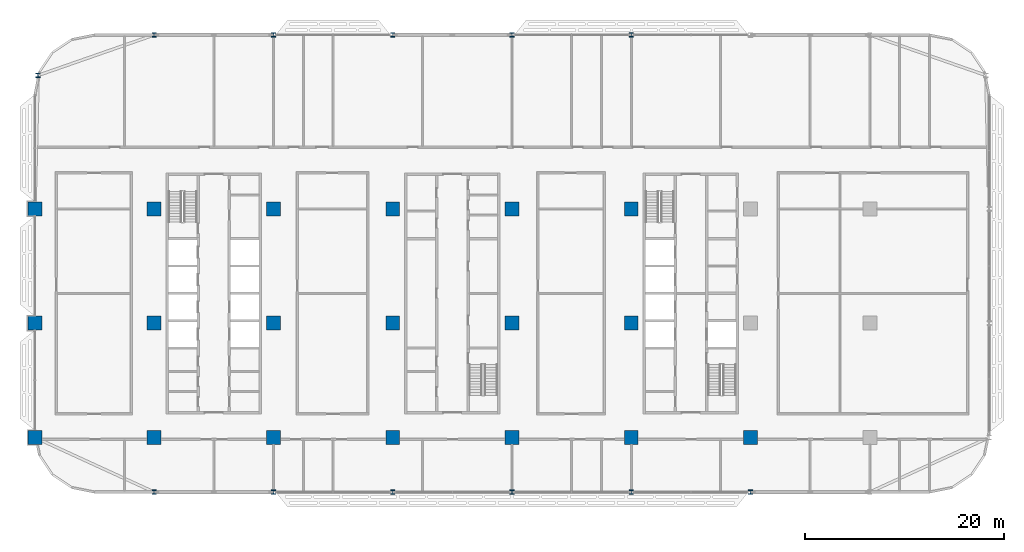
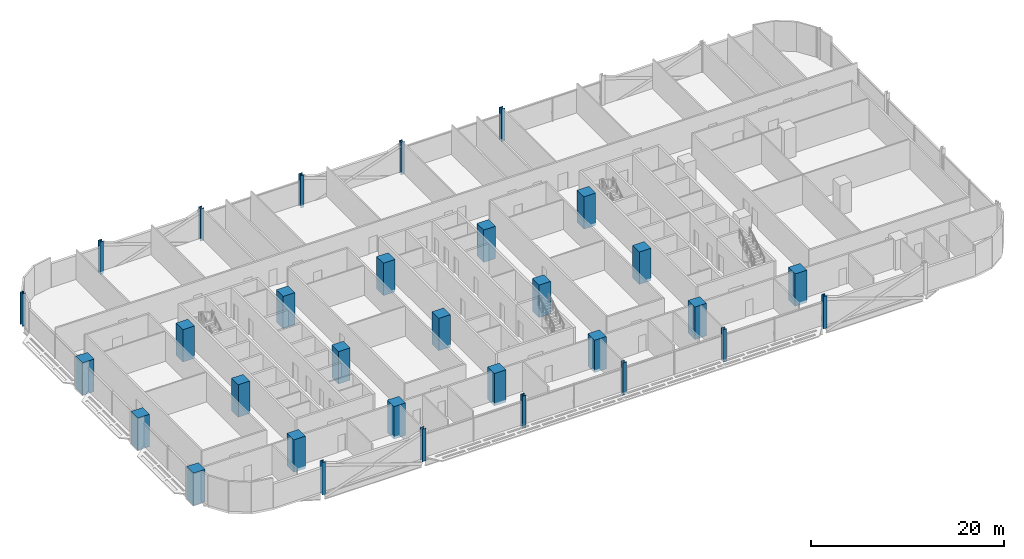
# One storey, part 1 of 29: 31 columns.
"""IFC4 building model written with IfcOpenShell, lengths in metres."""

from ifc_helpers import new_model, si_unit, direction, frame, origin, origin_2d, place, context, subcontext, project, spatial, rectangle, i_section, extrude, material, material_profile, profile_set, type_object, element, save


model = new_model("IFC4")

# Units and contexts
model_context = context("Model", 3, precision=1e-05, world=origin(), true_north=direction((0.0, 1.0)))
body_context = subcontext(model_context, "Body", "Model", "MODEL_VIEW")
ifc_project = project(units=[si_unit("LENGTHUNIT", "METRE"), si_unit("AREAUNIT", "SQUARE_METRE"), si_unit("VOLUMEUNIT", "CUBIC_METRE"), si_unit("PLANEANGLEUNIT", "RADIAN"), si_unit("MASSUNIT", "GRAM", prefix="KILO")], contexts=[model_context])

# Site, building, storey
site_placement = place(None, origin())
site = spatial("IfcSite", under=ifc_project, at=site_placement, CompositionType="ELEMENT")
building_placement = place(site_placement, origin())
building = spatial("IfcBuilding", under=site, at=building_placement, Name="Mahtab Terrace Research Tower", CompositionType="ELEMENT")
storey_placement = place(building_placement, frame((0.0, 0.0, 109.39990234375)))
storey = spatial("IfcBuildingStorey", under=building, at=storey_placement, Name="L25", CompositionType="ELEMENT", Elevation=109.39990234375)

# Columns
ifc_material_1 = material(Name="Concrete C70/85", Category="concrete")
ifc_material_profile_1 = material_profile(ifc_material_1, rectangle(XDim=1.39990234375, YDim=1.39990234375, at=origin_2d()), Name="RC column 1400x1400")
ifc_profile_set_1 = profile_set([ifc_material_profile_1], Name="Concrete C70/85")
column_type_1 = type_object("IfcColumnType", Name="RC column 1400x1400", PredefinedType="COLUMN", material=ifc_profile_set_1)
for number, where, z_axis, x_axis, name in (
    (1, (-42.0, -11.5, -0.33984375), (0.0, 0.0, 1.0), (1.0, 0.0, 0.0), "Column RC-1A L25"),
    (2, (-42.0, 0.0, -0.33984375), (0.0, 0.0, 1.0), (1.0, 0.0, 0.0), "Column RC-1B L25"),
    (3, (-42.0, 11.5, -0.33984375), (0.0, 0.0, 1.0), (1.0, 0.0, 0.0), "Column RC-1C L25"),
    (4, (-30.0, -11.5, -0.33984375), (0.0, 0.0, 1.0), (1.0, 0.0, 0.0), "Column RC-2A L25"),
    (5, (-30.0, 0.0, -0.33984375), (0.0, 0.0, 1.0), (1.0, 0.0, 0.0), "Column RC-2B L25"),
    (6, (-30.0, 11.5, -0.33984375), (0.0, 0.0, 1.0), (1.0, 0.0, 0.0), "Column RC-2C L25"),
    (7, (-18.0, -11.5, -0.33984375), (0.0, 0.0, 1.0), (1.0, 0.0, 0.0), "Column RC-3A L25"),
    (8, (-18.0, 0.0, -0.33984375), (0.0, 0.0, 1.0), (1.0, 0.0, 0.0), "Column RC-3B L25"),
    (9, (-18.0, 11.5, -0.33984375), (0.0, 0.0, 1.0), (1.0, 0.0, 0.0), "Column RC-3C L25"),
    (10, (-6.0, -11.5, -0.33984375), (0.0, 0.0, 1.0), (1.0, 0.0, 0.0), "Column RC-4A L25"),
    (11, (-6.0, 0.0, -0.33984375), (0.0, 0.0, 1.0), (1.0, 0.0, 0.0), "Column RC-4B L25"),
    (12, (-6.0, 11.5, -0.33984375), (0.0, 0.0, 1.0), (1.0, 0.0, 0.0), "Column RC-4C L25"),
    (13, (6.0, -11.5, -0.33984375), (0.0, 0.0, 1.0), (1.0, 0.0, 0.0), "Column RC-5A L25"),
    (14, (6.0, 0.0, -0.33984375), (0.0, 0.0, 1.0), (1.0, 0.0, 0.0), "Column RC-5B L25"),
    (15, (6.0, 11.5, -0.33984375), (0.0, 0.0, 1.0), (1.0, 0.0, 0.0), "Column RC-5C L25"),
    (16, (18.0, -11.5, -0.33984375), (0.0, 0.0, 1.0), (1.0, 0.0, 0.0), "Column RC-6A L25"),
    (17, (18.0, 0.0, -0.33984375), (0.0, 0.0, 1.0), (1.0, 0.0, 0.0), "Column RC-6B L25"),
    (18, (18.0, 11.5, -0.33984375), (0.0, 0.0, 1.0), (1.0, 0.0, 0.0), "Column RC-6C L25"),
    (19, (30.0, -11.5, -0.33984375), (0.0, 0.0, 1.0), (1.0, 0.0, 0.0), "Column RC-7A L25"),
):
    element("IfcColumn", number, at=place(storey_placement, frame(where, z_axis=z_axis, x_axis=x_axis)), inside=storey, type_object=column_type_1, Name=name, PredefinedType="COLUMN", context=body_context, shape_type="SweptSolid", body=[
        extrude(rectangle(XDim=1.39990234375, YDim=1.39990234375, at=origin_2d()), origin(), (0.0, 0.0, 1.0), 4.099853515625),
    ])
ifc_material_2 = material(Name="Steel ASTM A992 Gr 50", Category="steel")
ifc_material_profile_2 = material_profile(ifc_material_2, i_section(OverallWidth=0.419189453125, OverallDepth=0.45458984375, WebThickness=0.042236328125, FlangeThickness=0.067626953125, at=origin_2d()), Name="W14X370")
ifc_profile_set_2 = profile_set([ifc_material_profile_2], Name="Steel ASTM A992 Gr 50")
column_type_2 = type_object("IfcColumnType", Name="W14x370 column CS14370", PredefinedType="COLUMN", material=ifc_profile_set_2)
for number, where, z_axis, x_axis, name in (
    (20, (18.0, 29.0, -0.33984375), (0.0, 0.0, 1.0), (1.0, 0.0, 0.0), "Column SC-033 L25"),
    (21, (6.0, 29.0, -0.33984375), (0.0, 0.0, 1.0), (1.0, 0.0, 0.0), "Column SC-034 L25"),
    (22, (-6.0, 29.0, -0.33984375), (0.0, 0.0, 1.0), (1.0, 0.0, 0.0), "Column SC-035 L25"),
    (23, (-18.0, 29.0, -0.33984375), (0.0, 0.0, 1.0), (1.0, 0.0, 0.0), "Column SC-036 L25"),
    (24, (-30.0, 29.0, -0.33984375), (0.0, 0.0, 1.0), (1.0, 0.0, 0.0), "Column SC-037 L25"),
    (25, (-41.681884765625, 24.927001953125, -0.33984375), (0.0, 0.0, 1.0), (1.0, 0.0, 0.0), "Column SC-038 L25"),
    (26, (-30.0, -17.0, -0.33984375), (0.0, 0.0, 1.0), (1.0, 0.0, 0.0), "Column SC-039 L25"),
    (27, (-18.0, -17.0, -0.33984375), (0.0, 0.0, 1.0), (1.0, 0.0, 0.0), "Column SC-040 L25"),
    (28, (-6.0, -17.0, -0.33984375), (0.0, 0.0, 1.0), (1.0, 0.0, 0.0), "Column SC-041 L25"),
    (29, (6.0, -17.0, -0.33984375), (0.0, 0.0, 1.0), (1.0, 0.0, 0.0), "Column SC-042 L25"),
    (30, (18.0, -17.0, -0.33984375), (0.0, 0.0, 1.0), (1.0, 0.0, 0.0), "Column SC-043 L25"),
    (31, (30.0, -17.0, -0.33984375), (0.0, 0.0, 1.0), (1.0, 0.0, 0.0), "Column SC-044 L25"),
):
    element("IfcColumn", number, at=place(storey_placement, frame(where, z_axis=z_axis, x_axis=x_axis)), inside=storey, type_object=column_type_2, Name=name, PredefinedType="COLUMN", context=body_context, shape_type="SweptSolid", body=[
        extrude(i_section(OverallWidth=0.419189453125, OverallDepth=0.45458984375, WebThickness=0.042236328125, FlangeThickness=0.067626953125, at=origin_2d()), origin(), (0.0, 0.0, 1.0), 4.099853515625),
    ])

save(model, "model.ifc")
